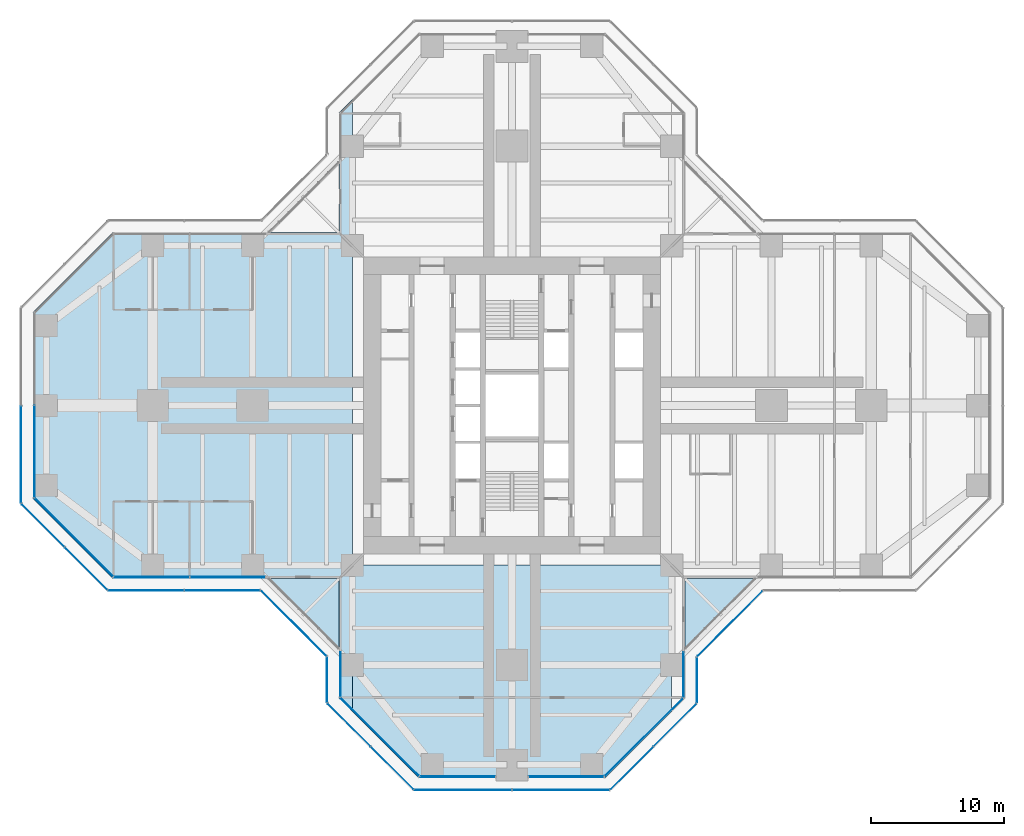
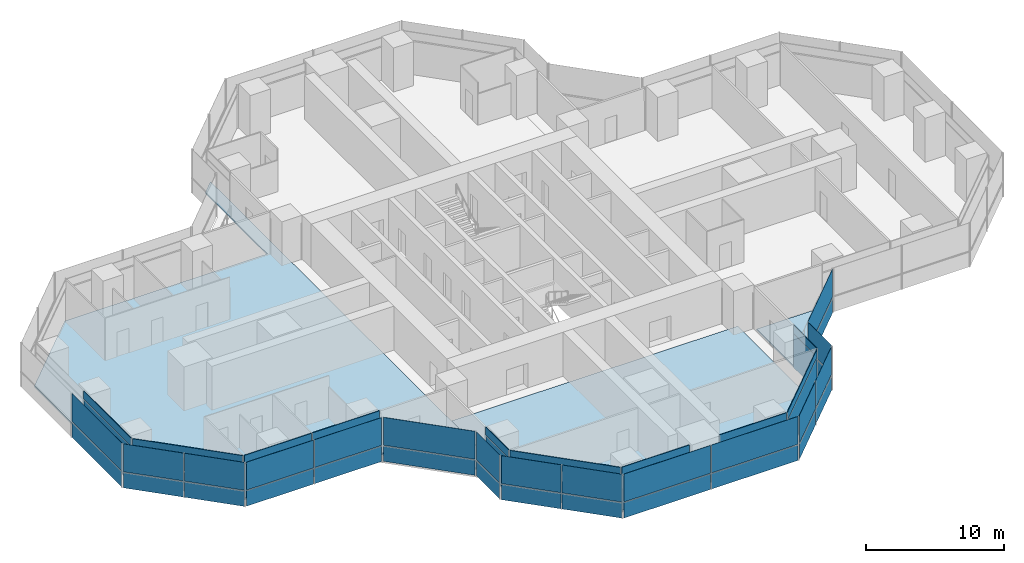
# One storey, part 12 of 20: 50 plates, 4 slabs, 19 elements without a shape of their own.
"""IFC4 building model written with IfcOpenShell, lengths in metres."""

from ifc_helpers import new_model, si_unit, direction, frame, origin, origin_2d, place, context, subcontext, project, spatial, polyline, rectangle, outline, extrude, material, layer, layer_set, type_object, element, aggregate, save


model = new_model("IFC4")

# Units and contexts
model_context = context("Model", 3, precision=1e-05, world=origin(), true_north=direction((0.0, 1.0)))
body_context = subcontext(model_context, "Body", "Model", "MODEL_VIEW")
ifc_project = project(units=[si_unit("LENGTHUNIT", "METRE"), si_unit("AREAUNIT", "SQUARE_METRE"), si_unit("VOLUMEUNIT", "CUBIC_METRE"), si_unit("PLANEANGLEUNIT", "RADIAN"), si_unit("MASSUNIT", "GRAM", prefix="KILO")], contexts=[model_context])

# Site, building, storey
site_placement = place(None, origin())
site = spatial("IfcSite", under=ifc_project, at=site_placement, CompositionType="ELEMENT")
building_placement = place(site_placement, origin())
building = spatial("IfcBuilding", under=site, at=building_placement, Name="Mizan Broadcast Tower", CompositionType="ELEMENT")
storey_placement = place(building_placement, frame((0.0, 0.0, 178.800048828125)))
storey = spatial("IfcBuildingStorey", under=building, at=storey_placement, Name="L41", CompositionType="ELEMENT", Elevation=178.800048828125)

# Slabs
ifc_material_1 = material(Name="Concrete C32/40", Category="concrete")
ifc_layer_1 = layer(ifc_material_1, 0.1298828125)
ifc_layer_set_1 = layer_set([ifc_layer_1], Name="Concrete C32/40")
slab_type_1 = type_object("IfcSlabType", Name="COMPOSITE DECK SLAB 130", PredefinedType="FLOOR", material=ifc_layer_set_1)
slab_1_placement = place(storey_placement, frame((0.0, 0.0, -0.130126953125)))
element("IfcSlab", 1, at=slab_1_placement, inside=storey, type_object=slab_type_1, Name="Floor slab L41 west arm", PredefinedType="FLOOR", context=body_context, shape_type="SweptSolid", body=[
    extrude(outline(polyline([(-13.0, -22.0), (-12.0, -23.0), (-12.0, 23.0), (-13.0, 22.0), (-13.0, 13.0), (-30.0, 13.0), (-36.0, 7.0), (-36.0, -7.0), (-30.0, -13.0), (-13.0, -13.0), (-13.0, -22.0)])), origin(), (0.0, 0.0, 1.0), 0.130126953125),
])
slab_2_placement = place(storey_placement, frame((0.0, 0.0, -0.130126953125)))
element("IfcSlab", 2, at=slab_2_placement, inside=storey, type_object=slab_type_1, Name="Floor slab L41 south arm", PredefinedType="FLOOR", context=body_context, shape_type="SweptSolid", body=[
    extrude(outline(polyline([(7.0, -28.0), (12.0, -23.0), (12.0, -12.0), (-12.0, -12.0), (-12.0, -23.0), (-7.0, -28.0), (7.0, -28.0)])), origin(), (0.0, 0.0, 1.0), 0.130126953125),
])

# Curtain wall, plate
ifc_material_2 = material(Name="Aluminium framed glazing", Category="aluminium")
curtain_wall_type_1 = type_object("IfcCurtainWallType", Name="INNER SKIN MID ZONE", PredefinedType="USERDEFINED", material=ifc_material_2)
curtain_wall_1_placement = place(storey_placement, origin())
curtain_wall_1 = element("IfcCurtainWall", 3, at=curtain_wall_1_placement, inside=storey, type_object=curtain_wall_type_1, Name="Inner skin mid zone L41 W end", ObjectType="INNER SKIN MID ZONE", PredefinedType="USERDEFINED")
ifc_material_3 = material(Name="Double glazing, clear low-e", Category="glass")
ifc_layer_2 = layer(ifc_material_3, 0.028076171875)
ifc_layer_set_2 = layer_set([ifc_layer_2], Name="Double glazing, clear low-e")
plate_type_1 = type_object("IfcPlateType", Name="INNER SKIN GLAZING UNIT", PredefinedType="CURTAIN_PANEL", material=ifc_layer_set_2)
plate_1_placement = place(storey_placement, frame((-35.89990234375, -3.46435546875, 0.0), z_axis=(0.0, 0.0, 1.0), x_axis=(0.0, -1.0, 0.0)))
plate_1 = element("IfcPlate", 4, at=plate_1_placement, type_object=plate_type_1, Name="Inner skin mid zone L41 W end panel 2.1", PredefinedType="CURTAIN_PANEL", context=body_context, shape_type="SweptSolid", body=[
    extrude(rectangle(XDim=6.86865234375, YDim=0.028076171875, at=origin_2d()), origin(), (0.0, 0.0, 1.0), 3.0),
])

curtain_wall_2_placement = place(storey_placement, origin())
curtain_wall_2 = element("IfcCurtainWall", 5, at=curtain_wall_2_placement, inside=storey, type_object=curtain_wall_type_1, Name="Inner skin mid zone L41 W chamfer", ObjectType="INNER SKIN MID ZONE", PredefinedType="USERDEFINED")
plate_2_placement = place(storey_placement, frame((-32.92919921875, -9.92919921875, 0.0), z_axis=(0.0, 0.0, 1.0), x_axis=(0.707106781187, -0.707106781187, 0.0)))
plate_2 = element("IfcPlate", 6, at=plate_2_placement, type_object=plate_type_1, Name="Inner skin mid zone L41 W chamfer panel 1.1", PredefinedType="CURTAIN_PANEL", context=body_context, shape_type="SweptSolid", body=[
    extrude(rectangle(XDim=8.282470703125, YDim=0.028076171875, at=origin_2d()), origin(), (0.0, 0.0, 1.0), 3.0),
])

# Curtain wall, plates
curtain_wall_3_placement = place(storey_placement, origin())
curtain_wall_3 = element("IfcCurtainWall", 7, at=curtain_wall_3_placement, inside=storey, type_object=curtain_wall_type_1, Name="Inner skin mid zone L41 W side", ObjectType="INNER SKIN MID ZONE", PredefinedType="USERDEFINED")
plate_3_placement = place(storey_placement, frame((-27.078857421875, -12.89990234375, 0.0), z_axis=(0.0, 0.0, 1.0), x_axis=(1.0, 0.0, 0.0)))
plate_3 = element("IfcPlate", 8, at=plate_3_placement, type_object=plate_type_1, Name="Inner skin mid zone L41 W side panel 1.1", PredefinedType="CURTAIN_PANEL", context=body_context, shape_type="SweptSolid", body=[
    extrude(rectangle(XDim=5.639404296875, YDim=0.028076171875, at=origin_2d()), origin(), (0.0, 0.0, 1.0), 3.0),
])
plate_4_placement = place(storey_placement, frame((-21.379638671875, -12.89990234375, 0.0), z_axis=(0.0, 0.0, 1.0), x_axis=(1.0, 0.0, 0.0)))
plate_4 = element("IfcPlate", 9, at=plate_4_placement, type_object=plate_type_1, Name="Inner skin mid zone L41 W side panel 2.1", PredefinedType="CURTAIN_PANEL", context=body_context, shape_type="SweptSolid", body=[
    extrude(rectangle(XDim=5.639404296875, YDim=0.028076171875, at=origin_2d()), origin(), (0.0, 0.0, 1.0), 3.0),
])

# Curtain wall, plate
curtain_wall_4_placement = place(storey_placement, origin())
curtain_wall_4 = element("IfcCurtainWall", 10, at=curtain_wall_4_placement, inside=storey, type_object=curtain_wall_type_1, Name="Inner skin mid zone L41 S side", ObjectType="INNER SKIN MID ZONE", PredefinedType="USERDEFINED")
plate_5_placement = place(storey_placement, frame((-12.89990234375, -20.229248046875, 0.0), z_axis=(0.0, 0.0, 1.0), x_axis=(0.0, -1.0, 0.0)))
plate_5 = element("IfcPlate", 11, at=plate_5_placement, type_object=plate_type_1, Name="Inner skin mid zone L41 S side panel 1.1", PredefinedType="CURTAIN_PANEL", context=body_context, shape_type="SweptSolid", body=[
    extrude(rectangle(XDim=3.338623046875, YDim=0.028076171875, at=origin_2d()), origin(), (0.0, 0.0, 1.0), 3.0),
])

curtain_wall_5_placement = place(storey_placement, origin())
curtain_wall_5 = element("IfcCurtainWall", 12, at=curtain_wall_5_placement, inside=storey, type_object=curtain_wall_type_1, Name="Inner skin mid zone L41 S chamfer", ObjectType="INNER SKIN MID ZONE", PredefinedType="USERDEFINED")
plate_6_placement = place(storey_placement, frame((-9.92919921875, -24.92919921875, 0.0), z_axis=(0.0, 0.0, 1.0), x_axis=(0.707106781187, -0.707106781187, 0.0)))
plate_6 = element("IfcPlate", 13, at=plate_6_placement, type_object=plate_type_1, Name="Inner skin mid zone L41 S chamfer panel 1.1", PredefinedType="CURTAIN_PANEL", context=body_context, shape_type="SweptSolid", body=[
    extrude(rectangle(XDim=8.282470703125, YDim=0.028076171875, at=origin_2d()), origin(), (0.0, 0.0, 1.0), 3.0),
])

curtain_wall_6_placement = place(storey_placement, origin())
curtain_wall_6 = element("IfcCurtainWall", 14, at=curtain_wall_6_placement, inside=storey, type_object=curtain_wall_type_1, Name="Inner skin mid zone L41 S end", ObjectType="INNER SKIN MID ZONE", PredefinedType="USERDEFINED")
plate_7_placement = place(storey_placement, frame((-4.079345703125, -27.89990234375, 0.0), z_axis=(0.0, 0.0, 1.0), x_axis=(1.0, 0.0, 0.0)))
plate_7 = element("IfcPlate", 15, at=plate_7_placement, type_object=plate_type_1, Name="Inner skin mid zone L41 S end panel 1.1", PredefinedType="CURTAIN_PANEL", context=body_context, shape_type="SweptSolid", body=[
    extrude(rectangle(XDim=5.638671875, YDim=0.028076171875, at=origin_2d()), origin(), (0.0, 0.0, 1.0), 3.0),
])

curtain_wall_7_placement = place(storey_placement, origin())
curtain_wall_7 = element("IfcCurtainWall", 16, at=curtain_wall_7_placement, inside=storey, type_object=curtain_wall_type_1, Name="Inner skin mid zone L41 S end", ObjectType="INNER SKIN MID ZONE", PredefinedType="USERDEFINED")
plate_8_placement = place(storey_placement, frame((4.079345703125, -27.89990234375, 0.0), z_axis=(0.0, 0.0, 1.0), x_axis=(1.0, 0.0, 0.0)))
plate_8 = element("IfcPlate", 17, at=plate_8_placement, type_object=plate_type_1, Name="Inner skin mid zone L41 S end panel 1.1", PredefinedType="CURTAIN_PANEL", context=body_context, shape_type="SweptSolid", body=[
    extrude(rectangle(XDim=5.638671875, YDim=0.028076171875, at=origin_2d()), origin(), (0.0, 0.0, 1.0), 3.0),
])

curtain_wall_8_placement = place(storey_placement, origin())
curtain_wall_8 = element("IfcCurtainWall", 18, at=curtain_wall_8_placement, inside=storey, type_object=curtain_wall_type_1, Name="Inner skin mid zone L41 S chamfer", ObjectType="INNER SKIN MID ZONE", PredefinedType="USERDEFINED")
plate_9_placement = place(storey_placement, frame((9.92919921875, -24.92919921875, 0.0), z_axis=(0.0, 0.0, 1.0), x_axis=(0.707106781187, 0.707106781187, 0.0)))
plate_9 = element("IfcPlate", 19, at=plate_9_placement, type_object=plate_type_1, Name="Inner skin mid zone L41 S chamfer panel 1.1", PredefinedType="CURTAIN_PANEL", context=body_context, shape_type="SweptSolid", body=[
    extrude(rectangle(XDim=8.282470703125, YDim=0.028076171875, at=origin_2d()), origin(), (0.0, 0.0, 1.0), 3.0),
])

curtain_wall_9_placement = place(storey_placement, origin())
curtain_wall_9 = element("IfcCurtainWall", 20, at=curtain_wall_9_placement, inside=storey, type_object=curtain_wall_type_1, Name="Inner skin mid zone L41 S side", ObjectType="INNER SKIN MID ZONE", PredefinedType="USERDEFINED")
plate_10_placement = place(storey_placement, frame((12.89990234375, -20.229248046875, 0.0), z_axis=(0.0, 0.0, 1.0), x_axis=(0.0, 1.0, 0.0)))
plate_10 = element("IfcPlate", 21, at=plate_10_placement, type_object=plate_type_1, Name="Inner skin mid zone L41 S side panel 1.1", PredefinedType="CURTAIN_PANEL", context=body_context, shape_type="SweptSolid", body=[
    extrude(rectangle(XDim=3.338623046875, YDim=0.028076171875, at=origin_2d()), origin(), (0.0, 0.0, 1.0), 3.0),
])

# Plate
ifc_material_4 = material(Name="Insulated aluminium spandrel panel, pale anodised", Category="aluminium")
ifc_layer_3 = layer(ifc_material_4, 0.050048828125)
ifc_layer_set_3 = layer_set([ifc_layer_3], Name="Insulated aluminium spandrel panel, pale anodised")
plate_type_2 = type_object("IfcPlateType", Name="INNER SKIN SPANDREL PANEL", PredefinedType="CURTAIN_PANEL", material=ifc_layer_set_3)
plate_11_placement = place(storey_placement, frame((-35.89990234375, -3.46435546875, 3.06005859375), z_axis=(0.0, 0.0, 1.0), x_axis=(0.0, -1.0, 0.0)))
plate_11 = element("IfcPlate", 22, at=plate_11_placement, type_object=plate_type_2, Name="Inner skin mid zone L41 W end panel 2.2", PredefinedType="CURTAIN_PANEL", context=body_context, shape_type="SweptSolid", body=[
    extrude(rectangle(XDim=6.86865234375, YDim=0.050048828125, at=origin_2d()), origin(), (0.0, 0.0, 1.0), 0.7099609375),
])

aggregate(curtain_wall_1, [plate_1, plate_11])

plate_12_placement = place(storey_placement, frame((-32.92919921875, -9.92919921875, 3.06005859375), z_axis=(0.0, 0.0, 1.0), x_axis=(0.707106781187, -0.707106781187, 0.0)))
plate_12 = element("IfcPlate", 23, at=plate_12_placement, type_object=plate_type_2, Name="Inner skin mid zone L41 W chamfer panel 1.2", PredefinedType="CURTAIN_PANEL", context=body_context, shape_type="SweptSolid", body=[
    extrude(rectangle(XDim=8.282470703125, YDim=0.050048828125, at=origin_2d()), origin(), (0.0, 0.0, 1.0), 0.7099609375),
])

aggregate(curtain_wall_2, [plate_2, plate_12])

plate_13_placement = place(storey_placement, frame((-27.078857421875, -12.89990234375, 3.06005859375), z_axis=(0.0, 0.0, 1.0), x_axis=(1.0, 0.0, 0.0)))
plate_13 = element("IfcPlate", 24, at=plate_13_placement, type_object=plate_type_2, Name="Inner skin mid zone L41 W side panel 1.2", PredefinedType="CURTAIN_PANEL", context=body_context, shape_type="SweptSolid", body=[
    extrude(rectangle(XDim=5.639404296875, YDim=0.050048828125, at=origin_2d()), origin(), (0.0, 0.0, 1.0), 0.7099609375),
])

plate_14_placement = place(storey_placement, frame((-21.379638671875, -12.89990234375, 3.06005859375), z_axis=(0.0, 0.0, 1.0), x_axis=(1.0, 0.0, 0.0)))
plate_14 = element("IfcPlate", 25, at=plate_14_placement, type_object=plate_type_2, Name="Inner skin mid zone L41 W side panel 2.2", PredefinedType="CURTAIN_PANEL", context=body_context, shape_type="SweptSolid", body=[
    extrude(rectangle(XDim=5.639404296875, YDim=0.050048828125, at=origin_2d()), origin(), (0.0, 0.0, 1.0), 0.7099609375),
])

aggregate(curtain_wall_3, [plate_3, plate_13, plate_4, plate_14])

plate_15_placement = place(storey_placement, frame((-12.89990234375, -20.229248046875, 3.06005859375), z_axis=(0.0, 0.0, 1.0), x_axis=(0.0, -1.0, 0.0)))
plate_15 = element("IfcPlate", 26, at=plate_15_placement, type_object=plate_type_2, Name="Inner skin mid zone L41 S side panel 1.2", PredefinedType="CURTAIN_PANEL", context=body_context, shape_type="SweptSolid", body=[
    extrude(rectangle(XDim=3.338623046875, YDim=0.050048828125, at=origin_2d()), origin(), (0.0, 0.0, 1.0), 0.7099609375),
])

aggregate(curtain_wall_4, [plate_5, plate_15])

plate_16_placement = place(storey_placement, frame((-9.92919921875, -24.92919921875, 3.06005859375), z_axis=(0.0, 0.0, 1.0), x_axis=(0.707106781187, -0.707106781187, 0.0)))
plate_16 = element("IfcPlate", 27, at=plate_16_placement, type_object=plate_type_2, Name="Inner skin mid zone L41 S chamfer panel 1.2", PredefinedType="CURTAIN_PANEL", context=body_context, shape_type="SweptSolid", body=[
    extrude(rectangle(XDim=8.282470703125, YDim=0.050048828125, at=origin_2d()), origin(), (0.0, 0.0, 1.0), 0.7099609375),
])

aggregate(curtain_wall_5, [plate_6, plate_16])

plate_17_placement = place(storey_placement, frame((-4.079345703125, -27.89990234375, 3.06005859375), z_axis=(0.0, 0.0, 1.0), x_axis=(1.0, 0.0, 0.0)))
plate_17 = element("IfcPlate", 28, at=plate_17_placement, type_object=plate_type_2, Name="Inner skin mid zone L41 S end panel 1.2", PredefinedType="CURTAIN_PANEL", context=body_context, shape_type="SweptSolid", body=[
    extrude(rectangle(XDim=5.638671875, YDim=0.050048828125, at=origin_2d()), origin(), (0.0, 0.0, 1.0), 0.7099609375),
])

aggregate(curtain_wall_6, [plate_7, plate_17])

plate_18_placement = place(storey_placement, frame((4.079345703125, -27.89990234375, 3.06005859375), z_axis=(0.0, 0.0, 1.0), x_axis=(1.0, 0.0, 0.0)))
plate_18 = element("IfcPlate", 29, at=plate_18_placement, type_object=plate_type_2, Name="Inner skin mid zone L41 S end panel 1.2", PredefinedType="CURTAIN_PANEL", context=body_context, shape_type="SweptSolid", body=[
    extrude(rectangle(XDim=5.638671875, YDim=0.050048828125, at=origin_2d()), origin(), (0.0, 0.0, 1.0), 0.7099609375),
])

aggregate(curtain_wall_7, [plate_8, plate_18])

plate_19_placement = place(storey_placement, frame((9.92919921875, -24.92919921875, 3.06005859375), z_axis=(0.0, 0.0, 1.0), x_axis=(0.707106781187, 0.707106781187, 0.0)))
plate_19 = element("IfcPlate", 30, at=plate_19_placement, type_object=plate_type_2, Name="Inner skin mid zone L41 S chamfer panel 1.2", PredefinedType="CURTAIN_PANEL", context=body_context, shape_type="SweptSolid", body=[
    extrude(rectangle(XDim=8.282470703125, YDim=0.050048828125, at=origin_2d()), origin(), (0.0, 0.0, 1.0), 0.7099609375),
])

aggregate(curtain_wall_8, [plate_9, plate_19])

plate_20_placement = place(storey_placement, frame((12.89990234375, -20.229248046875, 3.06005859375), z_axis=(0.0, 0.0, 1.0), x_axis=(0.0, 1.0, 0.0)))
plate_20 = element("IfcPlate", 31, at=plate_20_placement, type_object=plate_type_2, Name="Inner skin mid zone L41 S side panel 1.2", PredefinedType="CURTAIN_PANEL", context=body_context, shape_type="SweptSolid", body=[
    extrude(rectangle(XDim=3.338623046875, YDim=0.050048828125, at=origin_2d()), origin(), (0.0, 0.0, 1.0), 0.7099609375),
])

aggregate(curtain_wall_9, [plate_10, plate_20])

# Curtain wall, plates
ifc_material_5 = material(Name="Aluminium framed glazing", Category="aluminium")
curtain_wall_type_2 = type_object("IfcCurtainWallType", Name="OUTER SKIN", PredefinedType="USERDEFINED", material=ifc_material_5)
curtain_wall_10_placement = place(storey_placement, origin())
curtain_wall_10 = element("IfcCurtainWall", 32, at=curtain_wall_10_placement, inside=storey, type_object=curtain_wall_type_2, Name="Outer skin L41 W chamfer", ObjectType="OUTER SKIN", PredefinedType="USERDEFINED")
ifc_material_6 = material(Name="Laminated clear glass", Category="glass")
ifc_layer_4 = layer(ifc_material_6, 0.02001953125)
ifc_layer_set_4 = layer_set([ifc_layer_4], Name="Laminated clear glass")
plate_type_3 = type_object("IfcPlateType", Name="OUTER SKIN CLEAR GLASS", PredefinedType="CURTAIN_PANEL", material=ifc_layer_set_4)
plate_21_placement = place(storey_placement, frame((-35.254150390625, -9.018798828125, 0.0), z_axis=(0.0, 0.0, 1.0), x_axis=(0.707106781187, -0.707106781187, 0.0)))
plate_21 = element("IfcPlate", 33, at=plate_21_placement, type_object=plate_type_3, Name="Outer skin L41 W chamfer panel 1.1", PredefinedType="CURTAIN_PANEL", context=body_context, shape_type="SweptSolid", body=[
    extrude(rectangle(XDim=4.495361328125, YDim=0.02001953125, at=origin_2d()), origin(), (0.0, 0.0, 1.0), 1.3701171875),
])
plate_22_placement = place(storey_placement, frame((-35.254150390625, -9.018798828125, 1.43017578125), z_axis=(0.0, 0.0, 1.0), x_axis=(0.707106781187, -0.707106781187, 0.0)))
plate_22 = element("IfcPlate", 34, at=plate_22_placement, type_object=plate_type_3, Name="Outer skin L41 W chamfer panel 1.2", PredefinedType="CURTAIN_PANEL", context=body_context, shape_type="SweptSolid", body=[
    extrude(rectangle(XDim=4.495361328125, YDim=0.02001953125, at=origin_2d()), origin(), (0.0, 0.0, 1.0), 2.469970703125),
])

curtain_wall_11_placement = place(storey_placement, origin())
curtain_wall_11 = element("IfcCurtainWall", 35, at=curtain_wall_11_placement, inside=storey, type_object=curtain_wall_type_2, Name="Outer skin L41 W side", ObjectType="OUTER SKIN", PredefinedType="USERDEFINED")
plate_23_placement = place(storey_placement, frame((-27.477783203125, -13.89990234375, 0.0), z_axis=(0.0, 0.0, 1.0), x_axis=(1.0, 0.0, 0.0)))
plate_23 = element("IfcPlate", 36, at=plate_23_placement, type_object=plate_type_3, Name="Outer skin L41 W side panel 1.1", PredefinedType="CURTAIN_PANEL", context=body_context, shape_type="SweptSolid", body=[
    extrude(rectangle(XDim=5.6298828125, YDim=0.02001953125, at=origin_2d()), origin(), (0.0, 0.0, 1.0), 1.3701171875),
])
plate_24_placement = place(storey_placement, frame((-27.477783203125, -13.89990234375, 1.43017578125), z_axis=(0.0, 0.0, 1.0), x_axis=(1.0, 0.0, 0.0)))
plate_24 = element("IfcPlate", 37, at=plate_24_placement, type_object=plate_type_3, Name="Outer skin L41 W side panel 1.2", PredefinedType="CURTAIN_PANEL", context=body_context, shape_type="SweptSolid", body=[
    extrude(rectangle(XDim=5.6298828125, YDim=0.02001953125, at=origin_2d()), origin(), (0.0, 0.0, 1.0), 2.469970703125),
])

curtain_wall_12_placement = place(storey_placement, origin())
curtain_wall_12 = element("IfcCurtainWall", 38, at=curtain_wall_12_placement, inside=storey, type_object=curtain_wall_type_2, Name="Outer skin L41 W chamfer", ObjectType="OUTER SKIN", PredefinedType="USERDEFINED")
plate_25_placement = place(storey_placement, frame((-16.386474609375, -16.386474609375, 0.0), z_axis=(0.0, 0.0, 1.0), x_axis=(0.707106781187, -0.707106781187, 0.0)))
plate_25 = element("IfcPlate", 39, at=plate_25_placement, type_object=plate_type_3, Name="Outer skin L41 W chamfer panel 1.1", PredefinedType="CURTAIN_PANEL", context=body_context, shape_type="SweptSolid", body=[
    extrude(rectangle(XDim=6.87255859375, YDim=0.02001953125, at=origin_2d()), origin(), (0.0, 0.0, 1.0), 1.3701171875),
])
plate_26_placement = place(storey_placement, frame((-16.386474609375, -16.386474609375, 1.43017578125), z_axis=(0.0, 0.0, 1.0), x_axis=(0.707106781187, -0.707106781187, 0.0)))
plate_26 = element("IfcPlate", 40, at=plate_26_placement, type_object=plate_type_3, Name="Outer skin L41 W chamfer panel 1.2", PredefinedType="CURTAIN_PANEL", context=body_context, shape_type="SweptSolid", body=[
    extrude(rectangle(XDim=6.87255859375, YDim=0.02001953125, at=origin_2d()), origin(), (0.0, 0.0, 1.0), 2.469970703125),
])
aggregate(curtain_wall_12, [plate_25, plate_26])

curtain_wall_13_placement = place(storey_placement, origin())
curtain_wall_13 = element("IfcCurtainWall", 41, at=curtain_wall_13_placement, inside=storey, type_object=curtain_wall_type_2, Name="Outer skin L41 S side", ObjectType="OUTER SKIN", PredefinedType="USERDEFINED")
plate_27_placement = place(storey_placement, frame((-13.89990234375, -20.622802734375, 0.0), z_axis=(0.0, 0.0, 1.0), x_axis=(0.0, -1.0, 0.0)))
plate_27 = element("IfcPlate", 42, at=plate_27_placement, type_object=plate_type_3, Name="Outer skin L41 S side panel 1.1", PredefinedType="CURTAIN_PANEL", context=body_context, shape_type="SweptSolid", body=[
    extrude(rectangle(XDim=3.340087890625, YDim=0.02001953125, at=origin_2d()), origin(), (0.0, 0.0, 1.0), 1.3701171875),
])
plate_28_placement = place(storey_placement, frame((-13.89990234375, -20.622802734375, 1.43017578125), z_axis=(0.0, 0.0, 1.0), x_axis=(0.0, -1.0, 0.0)))
plate_28 = element("IfcPlate", 43, at=plate_28_placement, type_object=plate_type_3, Name="Outer skin L41 S side panel 1.2", PredefinedType="CURTAIN_PANEL", context=body_context, shape_type="SweptSolid", body=[
    extrude(rectangle(XDim=3.340087890625, YDim=0.02001953125, at=origin_2d()), origin(), (0.0, 0.0, 1.0), 2.469970703125),
])
aggregate(curtain_wall_13, [plate_27, plate_28])

curtain_wall_14_placement = place(storey_placement, origin())
curtain_wall_14 = element("IfcCurtainWall", 44, at=curtain_wall_14_placement, inside=storey, type_object=curtain_wall_type_2, Name="Outer skin L41 S chamfer", ObjectType="OUTER SKIN", PredefinedType="USERDEFINED")
plate_29_placement = place(storey_placement, frame((-12.254150390625, -24.018798828125, 0.0), z_axis=(0.0, 0.0, 1.0), x_axis=(0.707106781187, -0.707106781187, 0.0)))
plate_29 = element("IfcPlate", 45, at=plate_29_placement, type_object=plate_type_3, Name="Outer skin L41 S chamfer panel 1.1", PredefinedType="CURTAIN_PANEL", context=body_context, shape_type="SweptSolid", body=[
    extrude(rectangle(XDim=4.495361328125, YDim=0.02001953125, at=origin_2d()), origin(), (0.0, 0.0, 1.0), 1.3701171875),
])
plate_30_placement = place(storey_placement, frame((-12.254150390625, -24.018798828125, 1.43017578125), z_axis=(0.0, 0.0, 1.0), x_axis=(0.707106781187, -0.707106781187, 0.0)))
plate_30 = element("IfcPlate", 46, at=plate_30_placement, type_object=plate_type_3, Name="Outer skin L41 S chamfer panel 1.2", PredefinedType="CURTAIN_PANEL", context=body_context, shape_type="SweptSolid", body=[
    extrude(rectangle(XDim=4.495361328125, YDim=0.02001953125, at=origin_2d()), origin(), (0.0, 0.0, 1.0), 2.469970703125),
])

curtain_wall_15_placement = place(storey_placement, origin())
curtain_wall_15 = element("IfcCurtainWall", 47, at=curtain_wall_15_placement, inside=storey, type_object=curtain_wall_type_2, Name="Outer skin L41 S end", ObjectType="OUTER SKIN", PredefinedType="USERDEFINED")
plate_31_placement = place(storey_placement, frame((-3.66650390625, -28.89990234375, 0.0), z_axis=(0.0, 0.0, 1.0), x_axis=(1.0, 0.0, 0.0)))
plate_31 = element("IfcPlate", 48, at=plate_31_placement, type_object=plate_type_3, Name="Outer skin L41 S end panel 1.1", PredefinedType="CURTAIN_PANEL", context=body_context, shape_type="SweptSolid", body=[
    extrude(rectangle(XDim=7.252685546875, YDim=0.02001953125, at=origin_2d()), origin(), (0.0, 0.0, 1.0), 1.3701171875),
])
plate_32_placement = place(storey_placement, frame((-3.66650390625, -28.89990234375, 1.43017578125), z_axis=(0.0, 0.0, 1.0), x_axis=(1.0, 0.0, 0.0)))
plate_32 = element("IfcPlate", 49, at=plate_32_placement, type_object=plate_type_3, Name="Outer skin L41 S end panel 1.2", PredefinedType="CURTAIN_PANEL", context=body_context, shape_type="SweptSolid", body=[
    extrude(rectangle(XDim=7.252685546875, YDim=0.02001953125, at=origin_2d()), origin(), (0.0, 0.0, 1.0), 2.469970703125),
])

curtain_wall_16_placement = place(storey_placement, origin())
curtain_wall_16 = element("IfcCurtainWall", 50, at=curtain_wall_16_placement, inside=storey, type_object=curtain_wall_type_2, Name="Outer skin L41 S chamfer", ObjectType="OUTER SKIN", PredefinedType="USERDEFINED")
plate_33_placement = place(storey_placement, frame((9.018798828125, -27.254150390625, 0.0), z_axis=(0.0, 0.0, 1.0), x_axis=(0.707106781187, 0.707106781187, 0.0)))
plate_33 = element("IfcPlate", 51, at=plate_33_placement, type_object=plate_type_3, Name="Outer skin L41 S chamfer panel 1.1", PredefinedType="CURTAIN_PANEL", context=body_context, shape_type="SweptSolid", body=[
    extrude(rectangle(XDim=4.495361328125, YDim=0.02001953125, at=origin_2d()), origin(), (0.0, 0.0, 1.0), 1.3701171875),
])
plate_34_placement = place(storey_placement, frame((9.018798828125, -27.254150390625, 1.43017578125), z_axis=(0.0, 0.0, 1.0), x_axis=(0.707106781187, 0.707106781187, 0.0)))
plate_34 = element("IfcPlate", 52, at=plate_34_placement, type_object=plate_type_3, Name="Outer skin L41 S chamfer panel 1.2", PredefinedType="CURTAIN_PANEL", context=body_context, shape_type="SweptSolid", body=[
    extrude(rectangle(XDim=4.495361328125, YDim=0.02001953125, at=origin_2d()), origin(), (0.0, 0.0, 1.0), 2.469970703125),
])

curtain_wall_17_placement = place(storey_placement, origin())
curtain_wall_17 = element("IfcCurtainWall", 53, at=curtain_wall_17_placement, inside=storey, type_object=curtain_wall_type_2, Name="Outer skin L41 S side", ObjectType="OUTER SKIN", PredefinedType="USERDEFINED")
plate_35_placement = place(storey_placement, frame((13.89990234375, -20.622802734375, 0.0), z_axis=(0.0, 0.0, 1.0), x_axis=(0.0, 1.0, 0.0)))
plate_35 = element("IfcPlate", 54, at=plate_35_placement, type_object=plate_type_3, Name="Outer skin L41 S side panel 1.1", PredefinedType="CURTAIN_PANEL", context=body_context, shape_type="SweptSolid", body=[
    extrude(rectangle(XDim=3.340087890625, YDim=0.02001953125, at=origin_2d()), origin(), (0.0, 0.0, 1.0), 1.3701171875),
])
plate_36_placement = place(storey_placement, frame((13.89990234375, -20.622802734375, 1.43017578125), z_axis=(0.0, 0.0, 1.0), x_axis=(0.0, 1.0, 0.0)))
plate_36 = element("IfcPlate", 55, at=plate_36_placement, type_object=plate_type_3, Name="Outer skin L41 S side panel 1.2", PredefinedType="CURTAIN_PANEL", context=body_context, shape_type="SweptSolid", body=[
    extrude(rectangle(XDim=3.340087890625, YDim=0.02001953125, at=origin_2d()), origin(), (0.0, 0.0, 1.0), 2.469970703125),
])
aggregate(curtain_wall_17, [plate_35, plate_36])

curtain_wall_18_placement = place(storey_placement, origin())
curtain_wall_18 = element("IfcCurtainWall", 56, at=curtain_wall_18_placement, inside=storey, type_object=curtain_wall_type_2, Name="Outer skin L41 E chamfer", ObjectType="OUTER SKIN", PredefinedType="USERDEFINED")
plate_37_placement = place(storey_placement, frame((16.386474609375, -16.386474609375, 0.0), z_axis=(0.0, 0.0, 1.0), x_axis=(0.707106781187, 0.707106781187, 0.0)))
plate_37 = element("IfcPlate", 57, at=plate_37_placement, type_object=plate_type_3, Name="Outer skin L41 E chamfer panel 1.1", PredefinedType="CURTAIN_PANEL", context=body_context, shape_type="SweptSolid", body=[
    extrude(rectangle(XDim=6.87255859375, YDim=0.02001953125, at=origin_2d()), origin(), (0.0, 0.0, 1.0), 1.3701171875),
])
plate_38_placement = place(storey_placement, frame((16.386474609375, -16.386474609375, 1.43017578125), z_axis=(0.0, 0.0, 1.0), x_axis=(0.707106781187, 0.707106781187, 0.0)))
plate_38 = element("IfcPlate", 58, at=plate_38_placement, type_object=plate_type_3, Name="Outer skin L41 E chamfer panel 1.2", PredefinedType="CURTAIN_PANEL", context=body_context, shape_type="SweptSolid", body=[
    extrude(rectangle(XDim=6.87255859375, YDim=0.02001953125, at=origin_2d()), origin(), (0.0, 0.0, 1.0), 2.469970703125),
])
aggregate(curtain_wall_18, [plate_37, plate_38])

curtain_wall_19_placement = place(storey_placement, origin())
curtain_wall_19 = element("IfcCurtainWall", 59, at=curtain_wall_19_placement, inside=storey, type_object=curtain_wall_type_2, Name="Outer skin L41 W end", ObjectType="OUTER SKIN", PredefinedType="USERDEFINED")
ifc_material_7 = material(Name="Perforated aluminium, pale anodised", Category="aluminium")
ifc_layer_5 = layer(ifc_material_7, 0.011962890625)
ifc_layer_set_5 = layer_set([ifc_layer_5], Name="Perforated aluminium, pale anodised")
plate_type_4 = type_object("IfcPlateType", Name="OUTER SKIN PERFORATED SCREEN", PredefinedType="USERDEFINED", material=ifc_layer_set_5)
plate_39_placement = place(storey_placement, frame((-36.89990234375, -3.66650390625, 0.0), z_axis=(0.0, 0.0, 1.0), x_axis=(0.0, -1.0, 0.0)))
plate_39 = element("IfcPlate", 60, at=plate_39_placement, type_object=plate_type_4, Name="Outer skin L41 W end panel 2.1", ObjectType="SCREEN", PredefinedType="USERDEFINED", context=body_context, shape_type="SweptSolid", body=[
    extrude(rectangle(XDim=7.252685546875, YDim=0.011962890625, at=origin_2d()), origin(), (0.0, 0.0, 1.0), 1.3701171875),
])
plate_40_placement = place(storey_placement, frame((-36.89990234375, -3.66650390625, 1.43017578125), z_axis=(0.0, 0.0, 1.0), x_axis=(0.0, -1.0, 0.0)))
plate_40 = element("IfcPlate", 61, at=plate_40_placement, type_object=plate_type_4, Name="Outer skin L41 W end panel 2.2", ObjectType="SCREEN", PredefinedType="USERDEFINED", context=body_context, shape_type="SweptSolid", body=[
    extrude(rectangle(XDim=7.252685546875, YDim=0.011962890625, at=origin_2d()), origin(), (0.0, 0.0, 1.0), 2.469970703125),
])
aggregate(curtain_wall_19, [plate_39, plate_40])

# Plate
plate_41_placement = place(storey_placement, frame((-32.018798828125, -12.254150390625, 0.0), z_axis=(0.0, 0.0, 1.0), x_axis=(0.707106781187, -0.707106781187, 0.0)))
plate_41 = element("IfcPlate", 62, at=plate_41_placement, type_object=plate_type_4, Name="Outer skin L41 W chamfer panel 2.1", ObjectType="SCREEN", PredefinedType="USERDEFINED", context=body_context, shape_type="SweptSolid", body=[
    extrude(rectangle(XDim=4.495361328125, YDim=0.011962890625, at=origin_2d()), origin(), (0.0, 0.0, 1.0), 1.3701171875),
])

plate_42_placement = place(storey_placement, frame((-32.018798828125, -12.254150390625, 1.43017578125), z_axis=(0.0, 0.0, 1.0), x_axis=(0.707106781187, -0.707106781187, 0.0)))
plate_42 = element("IfcPlate", 63, at=plate_42_placement, type_object=plate_type_4, Name="Outer skin L41 W chamfer panel 2.2", ObjectType="SCREEN", PredefinedType="USERDEFINED", context=body_context, shape_type="SweptSolid", body=[
    extrude(rectangle(XDim=4.495361328125, YDim=0.011962890625, at=origin_2d()), origin(), (0.0, 0.0, 1.0), 2.469970703125),
])

aggregate(curtain_wall_10, [plate_21, plate_22, plate_41, plate_42])

plate_43_placement = place(storey_placement, frame((-21.767822265625, -13.89990234375, 0.0), z_axis=(0.0, 0.0, 1.0), x_axis=(1.0, 0.0, 0.0)))
plate_43 = element("IfcPlate", 64, at=plate_43_placement, type_object=plate_type_4, Name="Outer skin L41 W side panel 2.1", ObjectType="SCREEN", PredefinedType="USERDEFINED", context=body_context, shape_type="SweptSolid", body=[
    extrude(rectangle(XDim=5.6298828125, YDim=0.011962890625, at=origin_2d()), origin(), (0.0, 0.0, 1.0), 1.3701171875),
])

plate_44_placement = place(storey_placement, frame((-21.767822265625, -13.89990234375, 1.43017578125), z_axis=(0.0, 0.0, 1.0), x_axis=(1.0, 0.0, 0.0)))
plate_44 = element("IfcPlate", 65, at=plate_44_placement, type_object=plate_type_4, Name="Outer skin L41 W side panel 2.2", ObjectType="SCREEN", PredefinedType="USERDEFINED", context=body_context, shape_type="SweptSolid", body=[
    extrude(rectangle(XDim=5.6298828125, YDim=0.011962890625, at=origin_2d()), origin(), (0.0, 0.0, 1.0), 2.469970703125),
])

aggregate(curtain_wall_11, [plate_23, plate_24, plate_43, plate_44])

plate_45_placement = place(storey_placement, frame((-9.018798828125, -27.254150390625, 0.0), z_axis=(0.0, 0.0, 1.0), x_axis=(0.707106781187, -0.707106781187, 0.0)))
plate_45 = element("IfcPlate", 66, at=plate_45_placement, type_object=plate_type_4, Name="Outer skin L41 S chamfer panel 2.1", ObjectType="SCREEN", PredefinedType="USERDEFINED", context=body_context, shape_type="SweptSolid", body=[
    extrude(rectangle(XDim=4.495361328125, YDim=0.011962890625, at=origin_2d()), origin(), (0.0, 0.0, 1.0), 1.3701171875),
])

plate_46_placement = place(storey_placement, frame((-9.018798828125, -27.254150390625, 1.43017578125), z_axis=(0.0, 0.0, 1.0), x_axis=(0.707106781187, -0.707106781187, 0.0)))
plate_46 = element("IfcPlate", 67, at=plate_46_placement, type_object=plate_type_4, Name="Outer skin L41 S chamfer panel 2.2", ObjectType="SCREEN", PredefinedType="USERDEFINED", context=body_context, shape_type="SweptSolid", body=[
    extrude(rectangle(XDim=4.495361328125, YDim=0.011962890625, at=origin_2d()), origin(), (0.0, 0.0, 1.0), 2.469970703125),
])

aggregate(curtain_wall_14, [plate_29, plate_30, plate_45, plate_46])

plate_47_placement = place(storey_placement, frame((3.66650390625, -28.89990234375, 0.0), z_axis=(0.0, 0.0, 1.0), x_axis=(1.0, 0.0, 0.0)))
plate_47 = element("IfcPlate", 68, at=plate_47_placement, type_object=plate_type_4, Name="Outer skin L41 S end panel 2.1", ObjectType="SCREEN", PredefinedType="USERDEFINED", context=body_context, shape_type="SweptSolid", body=[
    extrude(rectangle(XDim=7.252685546875, YDim=0.011962890625, at=origin_2d()), origin(), (0.0, 0.0, 1.0), 1.3701171875),
])

plate_48_placement = place(storey_placement, frame((3.66650390625, -28.89990234375, 1.43017578125), z_axis=(0.0, 0.0, 1.0), x_axis=(1.0, 0.0, 0.0)))
plate_48 = element("IfcPlate", 69, at=plate_48_placement, type_object=plate_type_4, Name="Outer skin L41 S end panel 2.2", ObjectType="SCREEN", PredefinedType="USERDEFINED", context=body_context, shape_type="SweptSolid", body=[
    extrude(rectangle(XDim=7.252685546875, YDim=0.011962890625, at=origin_2d()), origin(), (0.0, 0.0, 1.0), 2.469970703125),
])

aggregate(curtain_wall_15, [plate_31, plate_32, plate_47, plate_48])

plate_49_placement = place(storey_placement, frame((12.254150390625, -24.018798828125, 0.0), z_axis=(0.0, 0.0, 1.0), x_axis=(0.707106781187, 0.707106781187, 0.0)))
plate_49 = element("IfcPlate", 70, at=plate_49_placement, type_object=plate_type_4, Name="Outer skin L41 S chamfer panel 2.1", ObjectType="SCREEN", PredefinedType="USERDEFINED", context=body_context, shape_type="SweptSolid", body=[
    extrude(rectangle(XDim=4.495361328125, YDim=0.011962890625, at=origin_2d()), origin(), (0.0, 0.0, 1.0), 1.3701171875),
])

plate_50_placement = place(storey_placement, frame((12.254150390625, -24.018798828125, 1.43017578125), z_axis=(0.0, 0.0, 1.0), x_axis=(0.707106781187, 0.707106781187, 0.0)))
plate_50 = element("IfcPlate", 71, at=plate_50_placement, type_object=plate_type_4, Name="Outer skin L41 S chamfer panel 2.2", ObjectType="SCREEN", PredefinedType="USERDEFINED", context=body_context, shape_type="SweptSolid", body=[
    extrude(rectangle(XDim=4.495361328125, YDim=0.011962890625, at=origin_2d()), origin(), (0.0, 0.0, 1.0), 2.469970703125),
])

aggregate(curtain_wall_16, [plate_33, plate_34, plate_49, plate_50])

# Slabs
ifc_material_8 = material(Name="Concrete C32/40", Category="concrete")
ifc_layer_6 = layer(ifc_material_8, 0.1298828125)
ifc_layer_set_6 = layer_set([ifc_layer_6], Name="Concrete C32/40")
slab_type_2 = type_object("IfcSlabType", Name="WINTER GARDEN SLAB 130", PredefinedType="FLOOR", material=ifc_layer_set_6)
slab_3_placement = place(storey_placement, frame((0.0, 0.0, -0.130126953125)))
element("IfcSlab", 72, at=slab_3_placement, inside=storey, type_object=slab_type_2, Name="Winter garden slab L41 W", PredefinedType="FLOOR", context=body_context, shape_type="SweptSolid", body=[
    extrude(outline(polyline([(-13.0, -13.0), (-18.5, -13.0), (-13.0, -18.5), (-13.0, -13.0)])), origin(), (0.0, 0.0, 1.0), 0.130126953125),
])
slab_4_placement = place(storey_placement, frame((0.0, 0.0, -0.130126953125)))
element("IfcSlab", 73, at=slab_4_placement, inside=storey, type_object=slab_type_2, Name="Winter garden slab L41 S", PredefinedType="FLOOR", context=body_context, shape_type="SweptSolid", body=[
    extrude(outline(polyline([(13.0, -13.0), (13.0, -18.5), (18.5, -13.0), (13.0, -13.0)])), origin(), (0.0, 0.0, 1.0), 0.130126953125),
])

save(model, "model.ifc")
